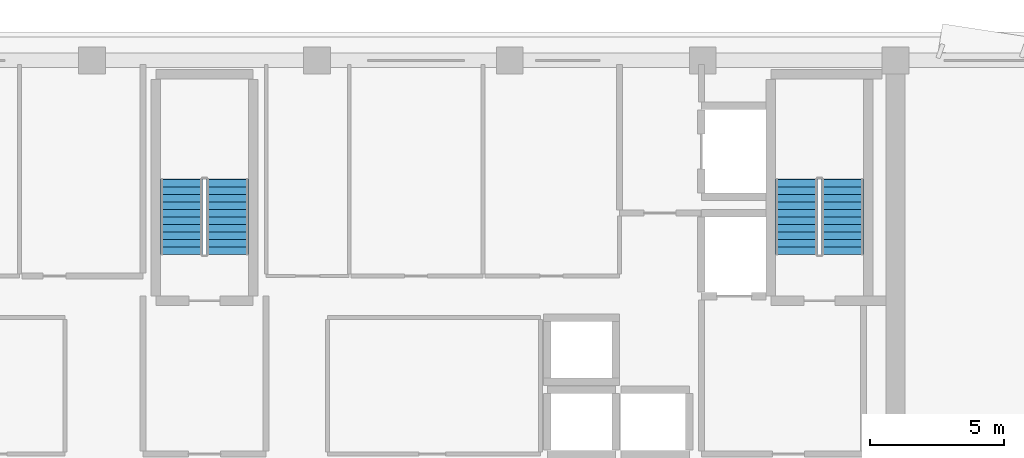
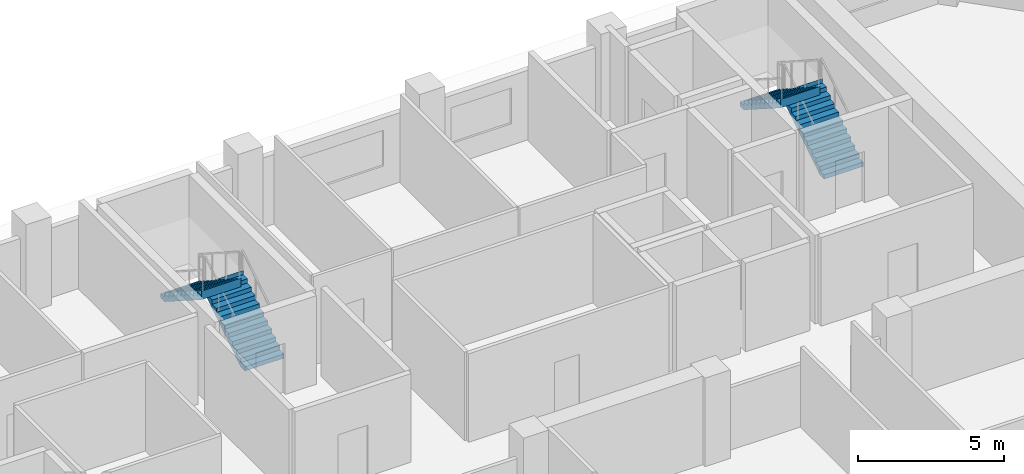
# One storey, part 8 of 11: 4 stair flights, 2 elements without a shape of their own.
"""IFC4 building model written with IfcOpenShell, lengths in metres."""

from ifc_helpers import new_model, si_unit, direction, frame, origin, place, context, subcontext, project, spatial, polyline, outline, extrude, material, type_object, element, aggregate, save


model = new_model("IFC4")

# Units and contexts
model_context = context("Model", 3, precision=1e-05, world=origin(), true_north=direction((0.0, 1.0)))
body_context = subcontext(model_context, "Body", "Model", "MODEL_VIEW")
ifc_project = project(units=[si_unit("LENGTHUNIT", "METRE"), si_unit("AREAUNIT", "SQUARE_METRE"), si_unit("VOLUMEUNIT", "CUBIC_METRE"), si_unit("PLANEANGLEUNIT", "RADIAN"), si_unit("MASSUNIT", "GRAM", prefix="KILO")], contexts=[model_context])

# Site, building, storey
site_placement = place(None, origin())
site = spatial("IfcSite", under=ifc_project, at=site_placement, CompositionType="ELEMENT")
building_placement = place(site_placement, origin())
building = spatial("IfcBuilding", under=site, at=building_placement, Name="Kaelvorn Grand Hotel", CompositionType="ELEMENT")
storey_placement = place(building_placement, frame((0.0, 0.0, 244.949951171875)))
storey = spatial("IfcBuildingStorey", under=building, at=storey_placement, Name="L60", CompositionType="ELEMENT", Elevation=244.949951171875)

# Stair, stair flights
ifc_material = material(Name="Concrete C40/50", Category="concrete")
stair_type = type_object("IfcStairType", Name="STR-DOG-1560-R09", PredefinedType="HALF_TURN_STAIR", material=ifc_material)
stair_1_placement = place(storey_placement, origin())
stair_1 = element("IfcStair", 1, at=stair_1_placement, inside=storey, type_object=stair_type, Name="L60 Central Core Exit Stair ST2", PredefinedType="HALF_TURN_STAIR")
stair_flight_type = type_object("IfcStairFlightType", Name="FLG-DOG-1560-R09", PredefinedType="STRAIGHT", material=ifc_material)
stair_flight_1_placement = place(storey_placement, frame((42.860107421875, 41.760009765625, 0.0), z_axis=(0.0, 0.0, 1.0), x_axis=(0.0, 1.0, 0.0)))
stair_flight_1 = element("IfcStairFlight", 2, at=stair_flight_1_placement, type_object=stair_flight_type, Name="ST2 flight 1", NumberOfRisers=11, NumberOfTreads=10, PredefinedType="STRAIGHT", RiserHeight=0.179545455, TreadLength=0.28, context=body_context, shape_type="SweptSolid", body=[
    extrude(outline(polyline([(-0.0048828125, 0.0), (-0.0048828125, 0.0400390625), (0.0, 0.179443359375), (0.280029296875, 0.179443359375), (0.280029296875, 0.359130859375), (0.56005859375, 0.359130859375), (0.56005859375, 0.53857421875), (0.840087890625, 0.53857421875), (0.840087890625, 0.71826171875), (1.1201171875, 0.71826171875), (1.1201171875, 0.897705078125), (1.39990234375, 0.897705078125), (1.39990234375, 1.077392578125), (1.679931640625, 1.077392578125), (1.679931640625, 1.2568359375), (1.9599609375, 1.2568359375), (1.9599609375, 1.436279296875), (2.239990234375, 1.436279296875), (2.239990234375, 1.615966796875), (2.52001953125, 1.615966796875), (2.52001953125, 1.79541015625), (2.800048828125, 1.79541015625), (2.800048828125, 1.97509765625), (2.804931640625, 1.97509765625), (2.804931640625, 1.617431640625), (0.277587890625, 0.0), (-0.0048828125, 0.0)])), frame((0.0, 0.780029296875, 0.0), z_axis=(0.0, -1.0, 0.0), x_axis=(1.0, 0.0, 0.0)), (0.0, 0.0, 1.0), 1.56005859375),
])
stair_flight_2_placement = place(storey_placement, frame((41.139892578125, 44.56005859375, 1.97509765625), z_axis=(0.0, 0.0, 1.0), x_axis=(0.0, -1.0, 0.0)))
stair_flight_2 = element("IfcStairFlight", 3, at=stair_flight_2_placement, type_object=stair_flight_type, Name="ST2 flight 2", NumberOfRisers=11, NumberOfTreads=10, PredefinedType="STRAIGHT", RiserHeight=0.179545455, TreadLength=0.28, context=body_context, shape_type="SweptSolid", body=[
    extrude(outline(polyline([(-0.0048828125, 0.0), (-0.0048828125, 0.0400390625), (0.0, 0.179443359375), (0.280029296875, 0.179443359375), (0.280029296875, 0.359130859375), (0.56005859375, 0.359130859375), (0.56005859375, 0.53857421875), (0.840087890625, 0.53857421875), (0.840087890625, 0.71826171875), (1.1201171875, 0.71826171875), (1.1201171875, 0.897705078125), (1.39990234375, 0.897705078125), (1.39990234375, 1.077392578125), (1.679931640625, 1.077392578125), (1.679931640625, 1.2568359375), (1.9599609375, 1.2568359375), (1.9599609375, 1.436279296875), (2.239990234375, 1.436279296875), (2.239990234375, 1.615966796875), (2.52001953125, 1.615966796875), (2.52001953125, 1.79541015625), (2.800048828125, 1.79541015625), (2.800048828125, 1.97509765625), (2.804931640625, 1.97509765625), (2.804931640625, 1.617431640625), (0.277587890625, 0.0), (-0.0048828125, 0.0)])), frame((0.0, 0.780029296875, 0.0), z_axis=(0.0, -1.0, 0.0), x_axis=(1.0, 0.0, 0.0)), (0.0, 0.0, 1.0), 1.56005859375),
])
aggregate(stair_1, [stair_flight_1, stair_flight_2])

stair_2_placement = place(storey_placement, origin())
stair_2 = element("IfcStair", 4, at=stair_2_placement, inside=storey, type_object=stair_type, Name="L60 East Core Exit Stair ST3", PredefinedType="HALF_TURN_STAIR")
stair_flight_3_placement = place(storey_placement, frame((65.820068359375, 41.760009765625, 0.0), z_axis=(0.0, 0.0, 1.0), x_axis=(0.0, 1.0, 0.0)))
stair_flight_3 = element("IfcStairFlight", 5, at=stair_flight_3_placement, type_object=stair_flight_type, Name="ST3 flight 1", NumberOfRisers=11, NumberOfTreads=10, PredefinedType="STRAIGHT", RiserHeight=0.179545455, TreadLength=0.28, context=body_context, shape_type="SweptSolid", body=[
    extrude(outline(polyline([(-0.0048828125, 0.0), (-0.0048828125, 0.0400390625), (0.0, 0.179443359375), (0.280029296875, 0.179443359375), (0.280029296875, 0.359130859375), (0.56005859375, 0.359130859375), (0.56005859375, 0.53857421875), (0.840087890625, 0.53857421875), (0.840087890625, 0.71826171875), (1.1201171875, 0.71826171875), (1.1201171875, 0.897705078125), (1.39990234375, 0.897705078125), (1.39990234375, 1.077392578125), (1.679931640625, 1.077392578125), (1.679931640625, 1.2568359375), (1.9599609375, 1.2568359375), (1.9599609375, 1.436279296875), (2.239990234375, 1.436279296875), (2.239990234375, 1.615966796875), (2.52001953125, 1.615966796875), (2.52001953125, 1.79541015625), (2.800048828125, 1.79541015625), (2.800048828125, 1.97509765625), (2.804931640625, 1.97509765625), (2.804931640625, 1.617431640625), (0.277587890625, 0.0), (-0.0048828125, 0.0)])), frame((0.0, 0.780029296875, 0.0), z_axis=(0.0, -1.0, 0.0), x_axis=(1.0, 0.0, 0.0)), (0.0, 0.0, 1.0), 1.56005859375),
])
stair_flight_4_placement = place(storey_placement, frame((64.10009765625, 44.56005859375, 1.97509765625), z_axis=(0.0, 0.0, 1.0), x_axis=(0.0, -1.0, 0.0)))
stair_flight_4 = element("IfcStairFlight", 6, at=stair_flight_4_placement, type_object=stair_flight_type, Name="ST3 flight 2", NumberOfRisers=11, NumberOfTreads=10, PredefinedType="STRAIGHT", RiserHeight=0.179545455, TreadLength=0.28, context=body_context, shape_type="SweptSolid", body=[
    extrude(outline(polyline([(-0.0048828125, 0.0), (-0.0048828125, 0.0400390625), (0.0, 0.179443359375), (0.280029296875, 0.179443359375), (0.280029296875, 0.359130859375), (0.56005859375, 0.359130859375), (0.56005859375, 0.53857421875), (0.840087890625, 0.53857421875), (0.840087890625, 0.71826171875), (1.1201171875, 0.71826171875), (1.1201171875, 0.897705078125), (1.39990234375, 0.897705078125), (1.39990234375, 1.077392578125), (1.679931640625, 1.077392578125), (1.679931640625, 1.2568359375), (1.9599609375, 1.2568359375), (1.9599609375, 1.436279296875), (2.239990234375, 1.436279296875), (2.239990234375, 1.615966796875), (2.52001953125, 1.615966796875), (2.52001953125, 1.79541015625), (2.800048828125, 1.79541015625), (2.800048828125, 1.97509765625), (2.804931640625, 1.97509765625), (2.804931640625, 1.617431640625), (0.277587890625, 0.0), (-0.0048828125, 0.0)])), frame((0.0, 0.780029296875, 0.0), z_axis=(0.0, -1.0, 0.0), x_axis=(1.0, 0.0, 0.0)), (0.0, 0.0, 1.0), 1.56005859375),
])
aggregate(stair_2, [stair_flight_3, stair_flight_4])

save(model, "model.ifc")
